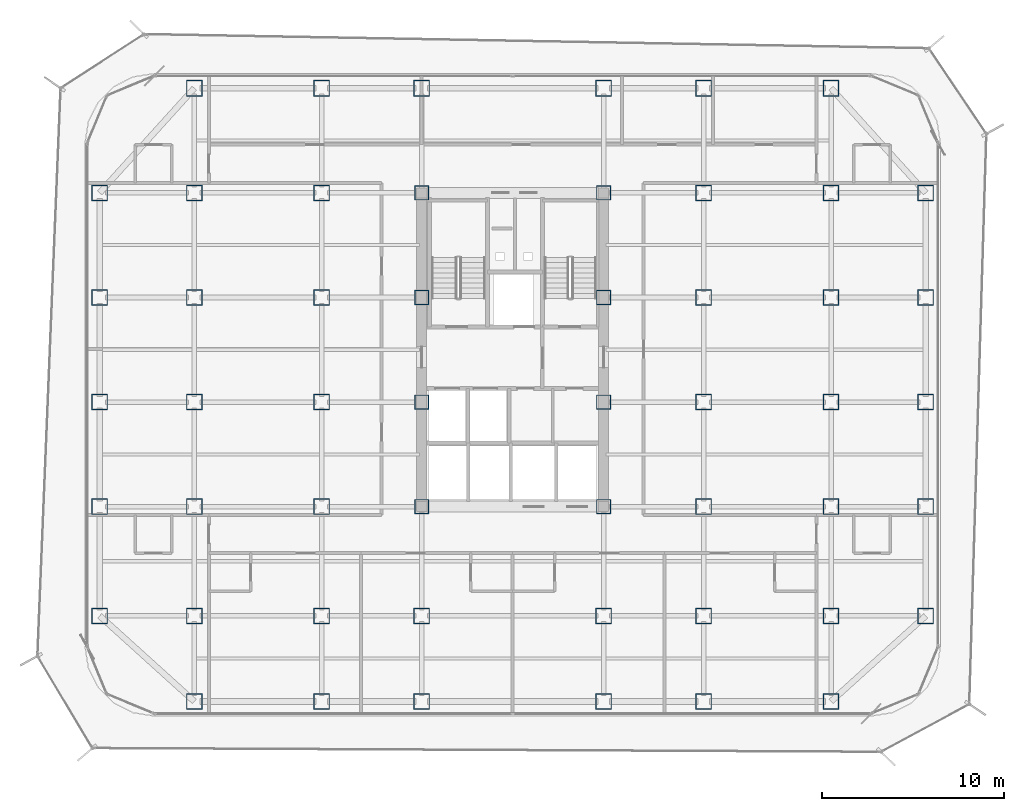
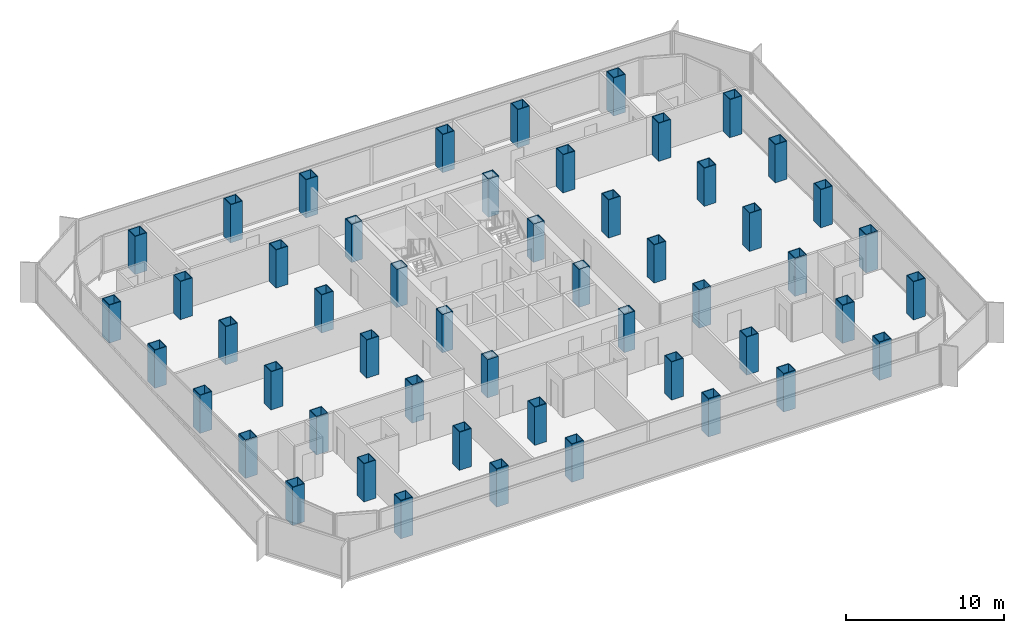
# One storey, part 1 of 21: 52 columns.
"""IFC4 building model written with IfcOpenShell, lengths in metres."""

from ifc_helpers import new_model, si_unit, direction, frame, origin, origin_2d, place, context, subcontext, project, spatial, hollow_rectangle, extrude, source, transform, mapped, material, material_profile, profile_set, type_object, element, save


model = new_model("IFC4")

# Units and contexts
model_context = context("Model", 3, precision=1e-05, world=origin(), true_north=direction((0.0, 1.0)))
body_context = subcontext(model_context, "Body", "Model", "MODEL_VIEW")
ifc_project = project(units=[si_unit("LENGTHUNIT", "METRE"), si_unit("AREAUNIT", "SQUARE_METRE"), si_unit("VOLUMEUNIT", "CUBIC_METRE"), si_unit("PLANEANGLEUNIT", "RADIAN"), si_unit("MASSUNIT", "GRAM", prefix="KILO")], contexts=[model_context])

# Site, building, storey
site_placement = place(None, origin())
site = spatial("IfcSite", under=ifc_project, at=site_placement, CompositionType="ELEMENT")
building_placement = place(site_placement, origin())
building = spatial("IfcBuilding", under=site, at=building_placement, Name="Kolveth Station Tower", CompositionType="ELEMENT")
storey_placement = place(building_placement, frame((0.0, 0.0, 92.699951171875)))
storey = spatial("IfcBuildingStorey", under=building, at=storey_placement, Name="L24", CompositionType="ELEMENT", Elevation=92.699951171875)

# Columns
ifc_material_1 = material(Name="Steel S460", Category="steel")
ifc_material_profile_1 = material_profile(ifc_material_1, hollow_rectangle(XDim=0.8798828125, YDim=0.8798828125, WallThickness=0.050048828125, at=origin_2d()), Name="BOX880x880x50")
ifc_profile_set_1 = profile_set([ifc_material_profile_1], Name="Steel S460")
column_type_1 = type_object("IfcColumnType", Name="Col_C4", PredefinedType="COLUMN", material=ifc_profile_set_1)
shared_shape_1 = source(origin(), body_context, "Body", "SweptSolid", [
    extrude(hollow_rectangle(XDim=0.8798828125, YDim=0.8798828125, WallThickness=0.050048828125, at=origin_2d()), origin(), (0.0, 0.0, 1.0), 2.949951171875),
])
for number, where, z_axis, x_axis, name in (
    (1, (6.0, 0.800048828125, 0.0), (0.0, 0.0, 1.0), (1.0, 0.0, 0.0), "L24 Tower Column S-X60"),
    (2, (6.0, 34.5, 0.0), (0.0, 0.0, 1.0), (1.0, 0.0, 0.0), "L24 Tower Column N-X60"),
    (3, (13.0, 0.800048828125, 0.0), (0.0, 0.0, 1.0), (1.0, 0.0, 0.0), "L24 Tower Column S-X130"),
    (4, (13.0, 34.5, 0.0), (0.0, 0.0, 1.0), (1.0, 0.0, 0.0), "L24 Tower Column N-X130"),
    (5, (18.5, 0.800048828125, 0.0), (0.0, 0.0, 1.0), (1.0, 0.0, 0.0), "L24 Tower Column S-X185"),
    (6, (18.5, 34.5, 0.0), (0.0, 0.0, 1.0), (1.0, 0.0, 0.0), "L24 Tower Column N-X185"),
    (7, (28.5, 0.800048828125, 0.0), (0.0, 0.0, 1.0), (1.0, 0.0, 0.0), "L24 Tower Column S-X285"),
    (8, (28.5, 34.5, 0.0), (0.0, 0.0, 1.0), (1.0, 0.0, 0.0), "L24 Tower Column N-X285"),
    (9, (34.0, 0.800048828125, 0.0), (0.0, 0.0, 1.0), (1.0, 0.0, 0.0), "L24 Tower Column S-X340"),
    (10, (34.0, 34.5, 0.0), (0.0, 0.0, 1.0), (1.0, 0.0, 0.0), "L24 Tower Column N-X340"),
    (11, (41.0, 0.800048828125, 0.0), (0.0, 0.0, 1.0), (1.0, 0.0, 0.0), "L24 Tower Column S-X410"),
    (12, (41.0, 34.5, 0.0), (0.0, 0.0, 1.0), (1.0, 0.0, 0.0), "L24 Tower Column N-X410"),
    (13, (0.800048828125, 5.5, 0.0), (0.0, 0.0, 1.0), (1.0, 0.0, 0.0), "L24 Tower Column W-Y55"),
    (14, (46.199951171875, 5.5, 0.0), (0.0, 0.0, 1.0), (1.0, 0.0, 0.0), "L24 Tower Column E-Y55"),
    (15, (0.800048828125, 11.5, 0.0), (0.0, 0.0, 1.0), (1.0, 0.0, 0.0), "L24 Tower Column W-Y115"),
    (16, (46.199951171875, 11.5, 0.0), (0.0, 0.0, 1.0), (1.0, 0.0, 0.0), "L24 Tower Column E-Y115"),
    (17, (0.800048828125, 17.25, 0.0), (0.0, 0.0, 1.0), (1.0, 0.0, 0.0), "L24 Tower Column W-Y172"),
    (18, (46.199951171875, 17.25, 0.0), (0.0, 0.0, 1.0), (1.0, 0.0, 0.0), "L24 Tower Column E-Y172"),
    (19, (0.800048828125, 23.0, 0.0), (0.0, 0.0, 1.0), (1.0, 0.0, 0.0), "L24 Tower Column W-Y230"),
    (20, (46.199951171875, 23.0, 0.0), (0.0, 0.0, 1.0), (1.0, 0.0, 0.0), "L24 Tower Column E-Y230"),
    (21, (0.800048828125, 28.75, 0.0), (0.0, 0.0, 1.0), (1.0, 0.0, 0.0), "L24 Tower Column W-Y287"),
    (22, (46.199951171875, 28.75, 0.0), (0.0, 0.0, 1.0), (1.0, 0.0, 0.0), "L24 Tower Column E-Y287"),
    (23, (6.0, 5.5, 0.0), (0.0, 0.0, 1.0), (1.0, 0.0, 0.0), "L24 Tower Column G-60-55"),
    (24, (6.0, 11.5, 0.0), (0.0, 0.0, 1.0), (1.0, 0.0, 0.0), "L24 Tower Column G-60-115"),
    (25, (6.0, 17.25, 0.0), (0.0, 0.0, 1.0), (1.0, 0.0, 0.0), "L24 Tower Column G-60-172"),
    (26, (6.0, 23.0, 0.0), (0.0, 0.0, 1.0), (1.0, 0.0, 0.0), "L24 Tower Column G-60-230"),
    (27, (6.0, 28.75, 0.0), (0.0, 0.0, 1.0), (1.0, 0.0, 0.0), "L24 Tower Column G-60-287"),
    (28, (13.0, 5.5, 0.0), (0.0, 0.0, 1.0), (1.0, 0.0, 0.0), "L24 Tower Column G-130-55"),
    (29, (13.0, 11.5, 0.0), (0.0, 0.0, 1.0), (1.0, 0.0, 0.0), "L24 Tower Column G-130-115"),
    (30, (13.0, 17.25, 0.0), (0.0, 0.0, 1.0), (1.0, 0.0, 0.0), "L24 Tower Column G-130-172"),
    (31, (13.0, 23.0, 0.0), (0.0, 0.0, 1.0), (1.0, 0.0, 0.0), "L24 Tower Column G-130-230"),
    (32, (13.0, 28.75, 0.0), (0.0, 0.0, 1.0), (1.0, 0.0, 0.0), "L24 Tower Column G-130-287"),
    (33, (18.5, 5.5, 0.0), (0.0, 0.0, 1.0), (1.0, 0.0, 0.0), "L24 Tower Column G-185-55"),
    (34, (28.5, 5.5, 0.0), (0.0, 0.0, 1.0), (1.0, 0.0, 0.0), "L24 Tower Column G-285-55"),
    (35, (34.0, 5.5, 0.0), (0.0, 0.0, 1.0), (1.0, 0.0, 0.0), "L24 Tower Column G-340-55"),
    (36, (34.0, 11.5, 0.0), (0.0, 0.0, 1.0), (1.0, 0.0, 0.0), "L24 Tower Column G-340-115"),
    (37, (34.0, 17.25, 0.0), (0.0, 0.0, 1.0), (1.0, 0.0, 0.0), "L24 Tower Column G-340-172"),
    (38, (34.0, 23.0, 0.0), (0.0, 0.0, 1.0), (1.0, 0.0, 0.0), "L24 Tower Column G-340-230"),
    (39, (34.0, 28.75, 0.0), (0.0, 0.0, 1.0), (1.0, 0.0, 0.0), "L24 Tower Column G-340-287"),
    (40, (41.0, 5.5, 0.0), (0.0, 0.0, 1.0), (1.0, 0.0, 0.0), "L24 Tower Column G-410-55"),
    (41, (41.0, 11.5, 0.0), (0.0, 0.0, 1.0), (1.0, 0.0, 0.0), "L24 Tower Column G-410-115"),
    (42, (41.0, 17.25, 0.0), (0.0, 0.0, 1.0), (1.0, 0.0, 0.0), "L24 Tower Column G-410-172"),
    (43, (41.0, 23.0, 0.0), (0.0, 0.0, 1.0), (1.0, 0.0, 0.0), "L24 Tower Column G-410-230"),
    (44, (41.0, 28.75, 0.0), (0.0, 0.0, 1.0), (1.0, 0.0, 0.0), "L24 Tower Column G-410-287"),
):
    element("IfcColumn", number, at=place(storey_placement, frame(where, z_axis=z_axis, x_axis=x_axis)), inside=storey, type_object=column_type_1, Name=name, PredefinedType="COLUMN", context=body_context, shape_type="MappedRepresentation", body=[
        mapped(shared_shape_1, transform((0.0, 0.0, 0.0), x_axis=(1.0, 0.0, 0.0), y_axis=(0.0, 1.0, 0.0), z_axis=(0.0, 0.0, 1.0), scale=1.0)),
    ])
ifc_material_2 = material(Name="Steel S355", Category="steel")
ifc_material_profile_2 = material_profile(ifc_material_2, hollow_rectangle(XDim=0.800048828125, YDim=0.800048828125, WallThickness=0.044921875, at=origin_2d()), Name="BOX800x800x45")
ifc_profile_set_2 = profile_set([ifc_material_profile_2], Name="Steel S355")
column_type_2 = type_object("IfcColumnType", Name="Col_C5", PredefinedType="COLUMN", material=ifc_profile_set_2)
shared_shape_2 = source(origin(), body_context, "Body", "SweptSolid", [
    extrude(hollow_rectangle(XDim=0.800048828125, YDim=0.800048828125, WallThickness=0.044921875, at=origin_2d()), origin(), (0.0, 0.0, 1.0), 2.949951171875),
])
for number, where, z_axis, x_axis, name in (
    (45, (18.5, 11.5, 0.0), (0.0, 0.0, 1.0), (1.0, 0.0, 0.0), "L24 Tower Column G-185-115"),
    (46, (18.5, 17.25, 0.0), (0.0, 0.0, 1.0), (1.0, 0.0, 0.0), "L24 Tower Column G-185-172"),
    (47, (18.5, 23.0, 0.0), (0.0, 0.0, 1.0), (1.0, 0.0, 0.0), "L24 Tower Column G-185-230"),
    (48, (18.5, 28.75, 0.0), (0.0, 0.0, 1.0), (1.0, 0.0, 0.0), "L24 Tower Column G-185-287"),
    (49, (28.5, 11.5, 0.0), (0.0, 0.0, 1.0), (1.0, 0.0, 0.0), "L24 Tower Column G-285-115"),
    (50, (28.5, 17.25, 0.0), (0.0, 0.0, 1.0), (1.0, 0.0, 0.0), "L24 Tower Column G-285-172"),
    (51, (28.5, 23.0, 0.0), (0.0, 0.0, 1.0), (1.0, 0.0, 0.0), "L24 Tower Column G-285-230"),
    (52, (28.5, 28.75, 0.0), (0.0, 0.0, 1.0), (1.0, 0.0, 0.0), "L24 Tower Column G-285-287"),
):
    element("IfcColumn", number, at=place(storey_placement, frame(where, z_axis=z_axis, x_axis=x_axis)), inside=storey, type_object=column_type_2, Name=name, PredefinedType="COLUMN", context=body_context, shape_type="MappedRepresentation", body=[
        mapped(shared_shape_2, transform((0.0, 0.0, 0.0), x_axis=(1.0, 0.0, 0.0), y_axis=(0.0, 1.0, 0.0), z_axis=(0.0, 0.0, 1.0), scale=1.0)),
    ])

save(model, "model.ifc")
